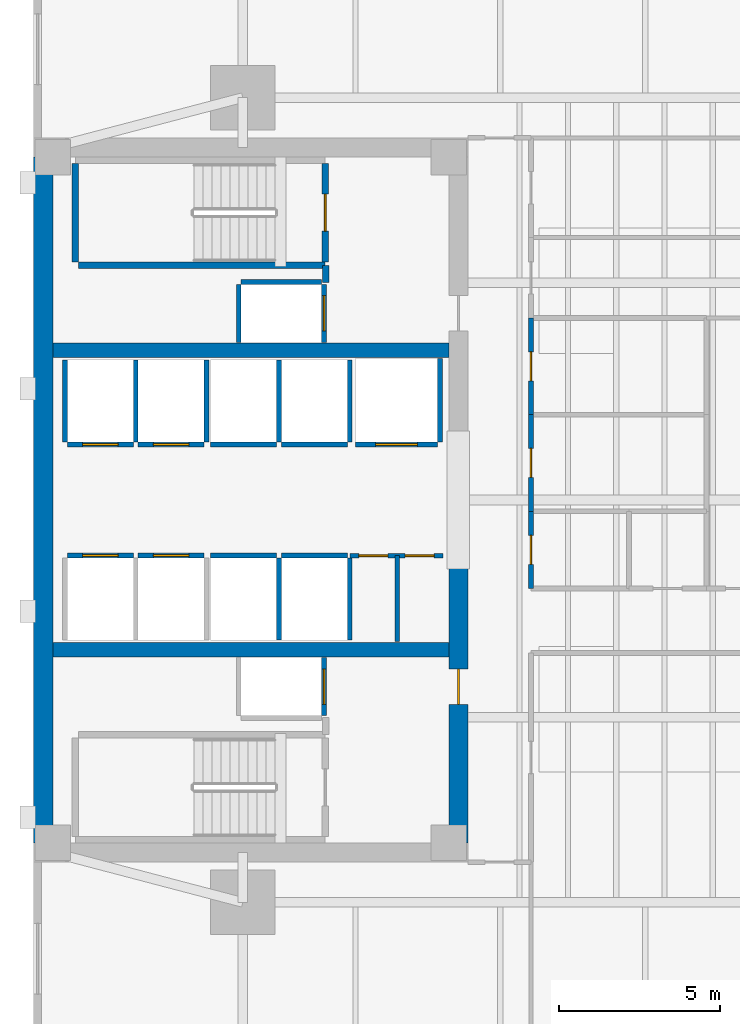
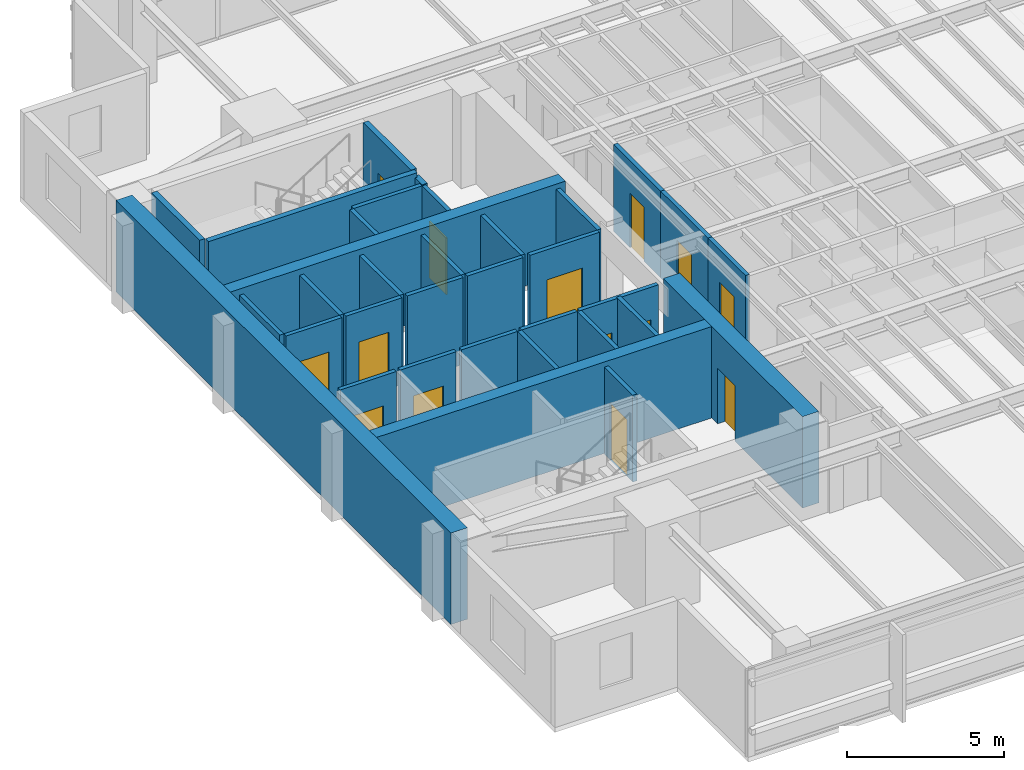
# One storey, part 8 of 15: 34 walls, 14 doors, 14 openings.
"""IFC4 building model written with IfcOpenShell, lengths in metres."""

from ifc_helpers import new_model, si_unit, direction, frame, frame_2d, origin, place, context, subcontext, project, spatial, rectangle, extrude, material, layer, layer_set, type_object, element, fill, save


model = new_model("IFC4")

# Units and contexts
model_context = context("Model", 3, precision=1e-05, world=origin(), true_north=direction((0.0, 1.0)))
body_context = subcontext(model_context, "Body", "Model", "MODEL_VIEW")
ifc_project = project(units=[si_unit("LENGTHUNIT", "METRE"), si_unit("AREAUNIT", "SQUARE_METRE"), si_unit("VOLUMEUNIT", "CUBIC_METRE"), si_unit("PLANEANGLEUNIT", "RADIAN"), si_unit("MASSUNIT", "GRAM", prefix="KILO")], contexts=[model_context])

# Site, building, storey
site_placement = place(None, origin())
site = spatial("IfcSite", under=ifc_project, at=site_placement, CompositionType="ELEMENT")
building_placement = place(site_placement, origin())
building = spatial("IfcBuilding", under=site, at=building_placement, Name="Kinhvarn Gate Tower", CompositionType="ELEMENT")
storey_placement = place(building_placement, frame((0.0, 0.0, 112.89990234375)))
storey = spatial("IfcBuildingStorey", under=building, at=storey_placement, Name="L29", CompositionType="ELEMENT", Elevation=112.89990234375)

# Walls
ifc_material_1 = material(Name="Concrete C50/60", Category="concrete")
ifc_layer_1 = layer(ifc_material_1, 0.449951171875)
ifc_layer_set_1 = layer_set([ifc_layer_1], Name="Concrete C50/60")
wall_type_1 = type_object("IfcWallType", Name="WL-CORE-450", PredefinedType="SHEAR", material=ifc_layer_set_1)
for number, where, z_axis, x_axis, name in (
    (1, (5.10009765625, 20.60009765625, 0.0), (0.0, 0.0, 1.0), (1.0, 0.0, 0.0), "Core South Spine Shear Wall L29 450 mm"),
    (2, (5.10009765625, 29.89990234375, 0.0), (0.0, 0.0, 1.0), (1.0, 0.0, 0.0), "Core North Spine Shear Wall L29 450 mm"),
):
    element("IfcWall", number, at=place(storey_placement, frame(where, z_axis=z_axis, x_axis=x_axis)), inside=storey, type_object=wall_type_1, Name=name, PredefinedType="SHEAR", context=body_context, shape_type="SweptSolid", body=[
        extrude(rectangle(XDim=12.2998046875, YDim=0.449951171875, at=frame_2d((6.14990234375, 0.0))), origin(), (0.0, 0.0, 1.0), 3.550048828125),
    ])

# Wall, opening, door
ifc_material_2 = material(Name="Concrete C60/75", Category="concrete")
ifc_layer_2 = layer(ifc_material_2, 0.60009765625)
ifc_layer_set_2 = layer_set([ifc_layer_2], Name="Concrete C60/75")
wall_type_2 = type_object("IfcWallType", Name="WL-CORE-600", PredefinedType="SHEAR", material=ifc_layer_set_2)
wall_1_placement = place(storey_placement, frame((17.699951171875, 14.60009765625, 0.0), z_axis=(0.0, 0.0, 1.0), x_axis=(0.0, 1.0, 0.0)))
wall_1 = element("IfcWall", 3, at=wall_1_placement, inside=storey, type_object=wall_type_2, Name="Core East-South Shear Pier L29 600 mm", PredefinedType="SHEAR", context=body_context, shape_type="SweptSolid", body=[
    extrude(rectangle(XDim=8.849853515625, YDim=0.60009765625, at=frame_2d((4.4248046875, 0.0))), origin(), (0.0, 0.0, 1.0), 3.550048828125),
])
opening_1_placement = place(wall_1_placement, frame((4.300048828125, 0.0, 0.0)))
opening_1 = element("IfcOpeningElement", 4, at=opening_1_placement, cuts=wall_1, Name="Opening FD-02", PredefinedType="OPENING", context=body_context, shape_type="SweptSolid", body=[
    extrude(rectangle(XDim=1.10009765625, YDim=2.14990234375, at=frame_2d((0.550048828125, 1.074951171875))), frame((0.0, 0.31005859375, 0.0), z_axis=(0.0, -1.0, 0.0), x_axis=(1.0, 0.0, 0.0)), (0.0, 0.0, 1.0), 0.6201171875),
])
ifc_material_3 = material(Name="Anodised aluminium AW-6063", Category="aluminium")
door_type_1 = type_object("IfcDoorType", Name="DR-FD-1100", OperationType="NOTDEFINED", PredefinedType="DOOR", material=ifc_material_3)
door_1_placement = place(opening_1_placement, origin())
door_1 = element("IfcDoor", 5, at=door_1_placement, inside=storey, type_object=door_type_1, Name="Firefighting Lobby Core Door (L29)", OperationType="SINGLE_SWING_RIGHT", OverallHeight=2.14990234375, OverallWidth=1.10009765625, PredefinedType="DOOR", context=body_context, shape_type="SweptSolid", body=[
    extrude(rectangle(XDim=1.10009765625, YDim=2.14990234375, at=frame_2d((0.550048828125, 1.074951171875))), frame((0.0, 0.02490234375, 0.0), z_axis=(0.0, -1.0, 0.0), x_axis=(1.0, 0.0, 0.0)), (0.0, 0.0, 1.0), 0.050048828125),
])
fill(opening_1, door_1)

# Wall
ifc_layer_3 = layer(ifc_material_2, 0.60009765625)
ifc_layer_set_3 = layer_set([ifc_layer_3], Name="Concrete C60/75")
wall_type_3 = type_object("IfcWallType", Name="WL-COREX-600", PredefinedType="SHEAR", material=ifc_layer_set_3)
wall_2_placement = place(storey_placement, frame((4.800048828125, 14.60009765625, 0.0), z_axis=(0.0, 0.0, 1.0), x_axis=(0.0, 1.0, 0.0)))
element("IfcWall", 6, at=wall_2_placement, inside=storey, type_object=wall_type_3, Name="Core West Shear Wall L29 600 mm", PredefinedType="SHEAR", context=body_context, shape_type="SweptSolid", body=[
    extrude(rectangle(XDim=21.2998046875, YDim=0.60009765625, at=frame_2d((10.64990234375, 0.0))), origin(), (0.0, 0.0, 1.0), 3.550048828125),
])

# Wall, opening, door
ifc_material_4 = material(Name="Gypsum acoustic partition board")
ifc_layer_4 = layer(ifc_material_4, 0.14990234375)
ifc_layer_set_4 = layer_set([ifc_layer_4], Name="Gypsum acoustic partition board")
wall_type_4 = type_object("IfcWallType", Name="WL-PLM-150F", PredefinedType="PLUMBINGWALL", material=ifc_layer_set_4)
wall_3_placement = place(storey_placement, frame((19.949951171875, 22.5, 0.0), z_axis=(0.0, 0.0, 1.0), x_axis=(0.0, 1.0, 0.0)))
wall_3 = element("IfcWall", 7, at=wall_3_placement, inside=storey, type_object=wall_type_4, Name="Interior Partition PLW-150F (L29)", PredefinedType="PLUMBINGWALL", context=body_context, shape_type="SweptSolid", body=[
    extrude(rectangle(XDim=2.39990234375, YDim=0.14990234375, at=frame_2d((1.199951171875, 0.0))), origin(), (0.0, 0.0, 1.0), 3.3701171875),
])
opening_2_placement = place(wall_3_placement, frame((0.75, 0.0, 0.0)))
opening_2 = element("IfcOpeningElement", 8, at=opening_2_placement, cuts=wall_3, Name="Opening FD-04", PredefinedType="OPENING", context=body_context, shape_type="SweptSolid", body=[
    extrude(rectangle(XDim=0.89990234375, YDim=2.10009765625, at=frame_2d((0.449951171875, 1.050048828125))), frame((0.0, 0.0849609375, 0.0), z_axis=(0.0, -1.0, 0.0), x_axis=(1.0, 0.0, 0.0)), (0.0, 0.0, 1.0), 0.169921875),
])
door_type_2 = type_object("IfcDoorType", Name="DR-FD-900", OperationType="NOTDEFINED", PredefinedType="DOOR", material=ifc_material_3)
door_2_placement = place(opening_2_placement, origin())
door_2 = element("IfcDoor", 9, at=door_2_placement, inside=storey, type_object=door_type_2, Name="Rated Riser & Service Closet Fire Door 900x2100 mm (L29)", OperationType="SINGLE_SWING_RIGHT", OverallHeight=2.10009765625, OverallWidth=0.89990234375, PredefinedType="DOOR", context=body_context, shape_type="SweptSolid", body=[
    extrude(rectangle(XDim=0.89990234375, YDim=2.10009765625, at=frame_2d((0.449951171875, 1.050048828125))), frame((0.0, 0.02490234375, 0.0), z_axis=(0.0, -1.0, 0.0), x_axis=(1.0, 0.0, 0.0)), (0.0, 0.0, 1.0), 0.050048828125),
])
fill(opening_2, door_2)

wall_4_placement = place(storey_placement, frame((19.949951171875, 24.89990234375, 0.0), z_axis=(0.0, 0.0, 1.0), x_axis=(0.0, 1.0, 0.0)))
wall_4 = element("IfcWall", 10, at=wall_4_placement, inside=storey, type_object=wall_type_4, Name="Interior Partition PLW-150F (L29)", PredefinedType="PLUMBINGWALL", context=body_context, shape_type="SweptSolid", body=[
    extrude(rectangle(XDim=3.0, YDim=0.14990234375, at=frame_2d((1.5, 0.0))), origin(), (0.0, 0.0, 1.0), 3.3701171875),
])
opening_3_placement = place(wall_4_placement, frame((1.050048828125, 0.0, 0.0)))
opening_3 = element("IfcOpeningElement", 11, at=opening_3_placement, cuts=wall_4, Name="Opening FD-04", PredefinedType="OPENING", context=body_context, shape_type="SweptSolid", body=[
    extrude(rectangle(XDim=0.89990234375, YDim=2.10009765625, at=frame_2d((0.449951171875, 1.050048828125))), frame((0.0, 0.0849609375, 0.0), z_axis=(0.0, -1.0, 0.0), x_axis=(1.0, 0.0, 0.0)), (0.0, 0.0, 1.0), 0.169921875),
])
door_3_placement = place(opening_3_placement, origin())
door_3 = element("IfcDoor", 12, at=door_3_placement, inside=storey, type_object=door_type_2, Name="Rated Riser & Service Closet Fire Door 900x2100 mm (L29)", OperationType="SINGLE_SWING_LEFT", OverallHeight=2.10009765625, OverallWidth=0.89990234375, PredefinedType="DOOR", context=body_context, shape_type="SweptSolid", body=[
    extrude(rectangle(XDim=0.89990234375, YDim=2.10009765625, at=frame_2d((0.449951171875, 1.050048828125))), frame((0.0, 0.02490234375, 0.0), z_axis=(0.0, -1.0, 0.0), x_axis=(1.0, 0.0, 0.0)), (0.0, 0.0, 1.0), 0.050048828125),
])
fill(opening_3, door_3)

wall_5_placement = place(storey_placement, frame((19.949951171875, 27.89990234375, 0.0), z_axis=(0.0, 0.0, 1.0), x_axis=(0.0, 1.0, 0.0)))
wall_5 = element("IfcWall", 13, at=wall_5_placement, inside=storey, type_object=wall_type_4, Name="Interior Partition PLW-150F (L29)", PredefinedType="PLUMBINGWALL", context=body_context, shape_type="SweptSolid", body=[
    extrude(rectangle(XDim=3.0, YDim=0.14990234375, at=frame_2d((1.5, 0.0))), origin(), (0.0, 0.0, 1.0), 3.3701171875),
])
opening_4_placement = place(wall_5_placement, frame((1.050048828125, 0.0, 0.0)))
opening_4 = element("IfcOpeningElement", 14, at=opening_4_placement, cuts=wall_5, Name="Opening FD-04", PredefinedType="OPENING", context=body_context, shape_type="SweptSolid", body=[
    extrude(rectangle(XDim=0.89990234375, YDim=2.10009765625, at=frame_2d((0.449951171875, 1.050048828125))), frame((0.0, 0.0849609375, 0.0), z_axis=(0.0, -1.0, 0.0), x_axis=(1.0, 0.0, 0.0)), (0.0, 0.0, 1.0), 0.169921875),
])
door_4_placement = place(opening_4_placement, origin())
door_4 = element("IfcDoor", 15, at=door_4_placement, inside=storey, type_object=door_type_2, Name="Rated Riser & Service Closet Fire Door 900x2100 mm (L29)", OperationType="SINGLE_SWING_RIGHT", OverallHeight=2.10009765625, OverallWidth=0.89990234375, PredefinedType="DOOR", context=body_context, shape_type="SweptSolid", body=[
    extrude(rectangle(XDim=0.89990234375, YDim=2.10009765625, at=frame_2d((0.449951171875, 1.050048828125))), frame((0.0, 0.02490234375, 0.0), z_axis=(0.0, -1.0, 0.0), x_axis=(1.0, 0.0, 0.0)), (0.0, 0.0, 1.0), 0.050048828125),
])
fill(opening_4, door_4)

# Wall
ifc_layer_5 = layer(ifc_material_4, 0.14990234375)
ifc_layer_set_5 = layer_set([ifc_layer_5], Name="Gypsum acoustic partition board")
wall_type_5 = type_object("IfcWallType", Name="WL-PRT-150F", PredefinedType="PARTITIONING", material=ifc_layer_set_5)
wall_6_placement = place(storey_placement, frame((15.800048828125, 20.85009765625, 0.0), z_axis=(0.0, 0.0, 1.0), x_axis=(0.0, 1.0, 0.0)))
element("IfcWall", 16, at=wall_6_placement, inside=storey, type_object=wall_type_5, Name="Interior Partition PW-150F (L29)", PredefinedType="PARTITIONING", context=body_context, shape_type="SweptSolid", body=[
    extrude(rectangle(XDim=2.669921875, YDim=0.14990234375, at=frame_2d((1.3349609375, 0.0))), origin(), (0.0, 0.0, 1.0), 3.3701171875),
])

# Wall, openings, doors
wall_7_placement = place(storey_placement, frame((14.330078125, 23.52001953125, 0.0), z_axis=(0.0, 0.0, 1.0), x_axis=(1.0, 0.0, 0.0)))
wall_7 = element("IfcWall", 17, at=wall_7_placement, inside=storey, type_object=wall_type_5, Name="Interior Partition PW-150F (L29)", PredefinedType="PARTITIONING", context=body_context, shape_type="SweptSolid", body=[
    extrude(rectangle(XDim=2.889892578125, YDim=0.14990234375, at=frame_2d((1.44482421875, 0.0))), origin(), (0.0, 0.0, 1.0), 3.3701171875),
])
opening_5_placement = place(wall_7_placement, frame((0.280029296875, 0.0, 0.0)))
opening_5 = element("IfcOpeningElement", 18, at=opening_5_placement, cuts=wall_7, Name="Opening FD-04", PredefinedType="OPENING", context=body_context, shape_type="SweptSolid", body=[
    extrude(rectangle(XDim=0.89990234375, YDim=2.10009765625, at=frame_2d((0.449951171875, 1.050048828125))), frame((0.0, 0.0849609375, 0.0), z_axis=(0.0, -1.0, 0.0), x_axis=(1.0, 0.0, 0.0)), (0.0, 0.0, 1.0), 0.169921875),
])
opening_6_placement = place(wall_7_placement, frame((1.7099609375, 0.0, 0.0)))
opening_6 = element("IfcOpeningElement", 19, at=opening_6_placement, cuts=wall_7, Name="Opening FD-04", PredefinedType="OPENING", context=body_context, shape_type="SweptSolid", body=[
    extrude(rectangle(XDim=0.89990234375, YDim=2.10009765625, at=frame_2d((0.449951171875, 1.050048828125))), frame((0.0, 0.0849609375, 0.0), z_axis=(0.0, -1.0, 0.0), x_axis=(1.0, 0.0, 0.0)), (0.0, 0.0, 1.0), 0.169921875),
])
door_5_placement = place(opening_5_placement, origin())
door_5 = element("IfcDoor", 20, at=door_5_placement, inside=storey, type_object=door_type_2, Name="Rated Riser & Service Closet Fire Door 900x2100 mm (L29)", OperationType="SINGLE_SWING_RIGHT", OverallHeight=2.10009765625, OverallWidth=0.89990234375, PredefinedType="DOOR", context=body_context, shape_type="SweptSolid", body=[
    extrude(rectangle(XDim=0.89990234375, YDim=2.10009765625, at=frame_2d((0.449951171875, 1.050048828125))), frame((0.0, 0.02490234375, 0.0), z_axis=(0.0, -1.0, 0.0), x_axis=(1.0, 0.0, 0.0)), (0.0, 0.0, 1.0), 0.050048828125),
])
fill(opening_5, door_5)
door_6_placement = place(opening_6_placement, origin())
door_6 = element("IfcDoor", 21, at=door_6_placement, inside=storey, type_object=door_type_2, Name="Rated Riser & Service Closet Fire Door 900x2100 mm (L29)", OperationType="SINGLE_SWING_LEFT", OverallHeight=2.10009765625, OverallWidth=0.89990234375, PredefinedType="DOOR", context=body_context, shape_type="SweptSolid", body=[
    extrude(rectangle(XDim=0.89990234375, YDim=2.10009765625, at=frame_2d((0.449951171875, 1.050048828125))), frame((0.0, 0.02490234375, 0.0), z_axis=(0.0, -1.0, 0.0), x_axis=(1.0, 0.0, 0.0)), (0.0, 0.0, 1.0), 0.050048828125),
])
fill(opening_6, door_6)

# Wall
ifc_layer_6 = layer(ifc_material_4, 0.199951171875)
ifc_layer_set_6 = layer_set([ifc_layer_6], Name="Gypsum acoustic partition board")
wall_type_6 = type_object("IfcWallType", Name="WL-PRT-200", PredefinedType="PARTITIONING", material=ifc_layer_set_6)
wall_8_placement = place(storey_placement, frame((13.580078125, 32.0, 0.0), z_axis=(0.0, 0.0, 1.0), x_axis=(0.0, 1.0, 0.0)))
element("IfcWall", 22, at=wall_8_placement, inside=storey, type_object=wall_type_6, Name="Interior Partition PW-200 (L29)", PredefinedType="PARTITIONING", context=body_context, shape_type="SweptSolid", body=[
    extrude(rectangle(XDim=0.5400390625, YDim=0.199951171875, at=frame_2d((0.27001953125, 0.0))), origin(), (0.0, 0.0, 1.0), 3.3701171875),
])

# Wall, opening, door
ifc_layer_7 = layer(ifc_material_4, 0.14990234375)
ifc_layer_set_7 = layer_set([ifc_layer_7], Name="Gypsum acoustic partition board")
wall_type_7 = type_object("IfcWallType", Name="WL-SHF-150", PredefinedType="PARTITIONING", material=ifc_layer_set_7)
wall_9_placement = place(storey_placement, frame((5.550048828125, 23.52490234375, 0.0), z_axis=(0.0, 0.0, 1.0), x_axis=(1.0, 0.0, 0.0)))
wall_9 = element("IfcWall", 23, at=wall_9_placement, inside=storey, type_object=wall_type_7, Name="Elevator PM-05 Landing Wall (L29)", PredefinedType="PARTITIONING", context=body_context, shape_type="SweptSolid", body=[
    extrude(rectangle(XDim=2.050048828125, YDim=0.14990234375, at=frame_2d((1.02490234375, 0.0))), origin(), (0.0, 0.0, 1.0), 3.3701171875),
])
opening_7_placement = place(wall_9_placement, frame((0.47509765625, 0.0, 0.0)))
opening_7 = element("IfcOpeningElement", 24, at=opening_7_placement, cuts=wall_9, Name="Opening LD-01", PredefinedType="OPENING", context=body_context, shape_type="SweptSolid", body=[
    extrude(rectangle(XDim=1.10009765625, YDim=2.199951171875, at=frame_2d((0.550048828125, 1.10009765625))), frame((0.0, 0.0849609375, 0.0), z_axis=(0.0, -1.0, 0.0), x_axis=(1.0, 0.0, 0.0)), (0.0, 0.0, 1.0), 0.169921875),
])
door_type_3 = type_object("IfcDoorType", Name="DR-LND-PAS", OperationType="NOTDEFINED", PredefinedType="DOOR", material=ifc_material_3)
door_7_placement = place(opening_7_placement, origin())
door_7 = element("IfcDoor", 25, at=door_7_placement, inside=storey, type_object=door_type_3, Name="Elevator PM-05 Sliding Landing Door (L29)", OperationType="DOUBLE_DOOR_SLIDING", OverallHeight=2.199951171875, OverallWidth=1.10009765625, PredefinedType="DOOR", context=body_context, shape_type="SweptSolid", body=[
    extrude(rectangle(XDim=1.10009765625, YDim=2.199951171875, at=frame_2d((0.550048828125, 1.10009765625))), frame((0.0, 0.02490234375, 0.0), z_axis=(0.0, -1.0, 0.0), x_axis=(1.0, 0.0, 0.0)), (0.0, 0.0, 1.0), 0.050048828125),
])
fill(opening_7, door_7)

wall_10_placement = place(storey_placement, frame((7.75, 23.52490234375, 0.0), z_axis=(0.0, 0.0, 1.0), x_axis=(1.0, 0.0, 0.0)))
wall_10 = element("IfcWall", 26, at=wall_10_placement, inside=storey, type_object=wall_type_7, Name="Elevator PM-06 Landing Wall (L29)", PredefinedType="PARTITIONING", context=body_context, shape_type="SweptSolid", body=[
    extrude(rectangle(XDim=2.050048828125, YDim=0.14990234375, at=frame_2d((1.02490234375, 0.0))), origin(), (0.0, 0.0, 1.0), 3.3701171875),
])
opening_8_placement = place(wall_10_placement, frame((0.47509765625, 0.0, 0.0)))
opening_8 = element("IfcOpeningElement", 27, at=opening_8_placement, cuts=wall_10, Name="Opening LD-01", PredefinedType="OPENING", context=body_context, shape_type="SweptSolid", body=[
    extrude(rectangle(XDim=1.10009765625, YDim=2.199951171875, at=frame_2d((0.550048828125, 1.10009765625))), frame((0.0, 0.0849609375, 0.0), z_axis=(0.0, -1.0, 0.0), x_axis=(1.0, 0.0, 0.0)), (0.0, 0.0, 1.0), 0.169921875),
])
door_8_placement = place(opening_8_placement, origin())
door_8 = element("IfcDoor", 28, at=door_8_placement, inside=storey, type_object=door_type_3, Name="Elevator PM-06 Sliding Landing Door (L29)", OperationType="DOUBLE_DOOR_SLIDING", OverallHeight=2.199951171875, OverallWidth=1.10009765625, PredefinedType="DOOR", context=body_context, shape_type="SweptSolid", body=[
    extrude(rectangle(XDim=1.10009765625, YDim=2.199951171875, at=frame_2d((0.550048828125, 1.10009765625))), frame((0.0, 0.02490234375, 0.0), z_axis=(0.0, -1.0, 0.0), x_axis=(1.0, 0.0, 0.0)), (0.0, 0.0, 1.0), 0.050048828125),
])
fill(opening_8, door_8)

wall_11_placement = place(storey_placement, frame((5.550048828125, 26.97509765625, 0.0), z_axis=(0.0, 0.0, 1.0), x_axis=(1.0, 0.0, 0.0)))
wall_11 = element("IfcWall", 29, at=wall_11_placement, inside=storey, type_object=wall_type_7, Name="Elevator PM-07 Landing Wall (L29)", PredefinedType="PARTITIONING", context=body_context, shape_type="SweptSolid", body=[
    extrude(rectangle(XDim=2.050048828125, YDim=0.14990234375, at=frame_2d((1.02490234375, 0.0))), origin(), (0.0, 0.0, 1.0), 3.3701171875),
])
opening_9_placement = place(wall_11_placement, frame((0.47509765625, 0.0, 0.0)))
opening_9 = element("IfcOpeningElement", 30, at=opening_9_placement, cuts=wall_11, Name="Opening LD-01", PredefinedType="OPENING", context=body_context, shape_type="SweptSolid", body=[
    extrude(rectangle(XDim=1.10009765625, YDim=2.199951171875, at=frame_2d((0.550048828125, 1.10009765625))), frame((0.0, 0.0849609375, 0.0), z_axis=(0.0, -1.0, 0.0), x_axis=(1.0, 0.0, 0.0)), (0.0, 0.0, 1.0), 0.169921875),
])
door_9_placement = place(opening_9_placement, origin())
door_9 = element("IfcDoor", 31, at=door_9_placement, inside=storey, type_object=door_type_3, Name="Elevator PM-07 Sliding Landing Door (L29)", OperationType="DOUBLE_DOOR_SLIDING", OverallHeight=2.199951171875, OverallWidth=1.10009765625, PredefinedType="DOOR", context=body_context, shape_type="SweptSolid", body=[
    extrude(rectangle(XDim=1.10009765625, YDim=2.199951171875, at=frame_2d((0.550048828125, 1.10009765625))), frame((0.0, 0.02490234375, 0.0), z_axis=(0.0, -1.0, 0.0), x_axis=(1.0, 0.0, 0.0)), (0.0, 0.0, 1.0), 0.050048828125),
])
fill(opening_9, door_9)

# Walls
for number, where, z_axis, x_axis, name in (
    (32, (5.47509765625, 27.050048828125, 0.0), (0.0, 0.0, 1.0), (0.0, 1.0, 0.0), "Elevator PM-07 Hoistway Wall W (L29)"),
    (33, (7.675048828125, 27.050048828125, 0.0), (0.0, 0.0, 1.0), (0.0, 1.0, 0.0), "Elevator PM-07 Hoistway Wall E (L29)"),
):
    element("IfcWall", number, at=place(storey_placement, frame(where, z_axis=z_axis, x_axis=x_axis)), inside=storey, type_object=wall_type_7, Name=name, PredefinedType="PARTITIONING", context=body_context, shape_type="SweptSolid", body=[
        extrude(rectangle(XDim=2.550048828125, YDim=0.14990234375, at=frame_2d((1.27490234375, 0.0))), origin(), (0.0, 0.0, 1.0), 3.3701171875),
    ])

# Wall, opening, door
wall_12_placement = place(storey_placement, frame((7.75, 26.97509765625, 0.0), z_axis=(0.0, 0.0, 1.0), x_axis=(1.0, 0.0, 0.0)))
wall_12 = element("IfcWall", 34, at=wall_12_placement, inside=storey, type_object=wall_type_7, Name="Elevator PM-08 Landing Wall (L29)", PredefinedType="PARTITIONING", context=body_context, shape_type="SweptSolid", body=[
    extrude(rectangle(XDim=2.050048828125, YDim=0.14990234375, at=frame_2d((1.02490234375, 0.0))), origin(), (0.0, 0.0, 1.0), 3.3701171875),
])
opening_10_placement = place(wall_12_placement, frame((0.47509765625, 0.0, 0.0)))
opening_10 = element("IfcOpeningElement", 35, at=opening_10_placement, cuts=wall_12, Name="Opening LD-01", PredefinedType="OPENING", context=body_context, shape_type="SweptSolid", body=[
    extrude(rectangle(XDim=1.10009765625, YDim=2.199951171875, at=frame_2d((0.550048828125, 1.10009765625))), frame((0.0, 0.0849609375, 0.0), z_axis=(0.0, -1.0, 0.0), x_axis=(1.0, 0.0, 0.0)), (0.0, 0.0, 1.0), 0.169921875),
])
door_10_placement = place(opening_10_placement, origin())
door_10 = element("IfcDoor", 36, at=door_10_placement, inside=storey, type_object=door_type_3, Name="Elevator PM-08 Sliding Landing Door (L29)", OperationType="DOUBLE_DOOR_SLIDING", OverallHeight=2.199951171875, OverallWidth=1.10009765625, PredefinedType="DOOR", context=body_context, shape_type="SweptSolid", body=[
    extrude(rectangle(XDim=1.10009765625, YDim=2.199951171875, at=frame_2d((0.550048828125, 1.10009765625))), frame((0.0, 0.02490234375, 0.0), z_axis=(0.0, -1.0, 0.0), x_axis=(1.0, 0.0, 0.0)), (0.0, 0.0, 1.0), 0.050048828125),
])
fill(opening_10, door_10)

# Walls
wall_13_placement = place(storey_placement, frame((9.875, 27.050048828125, 0.0), z_axis=(0.0, 0.0, 1.0), x_axis=(0.0, 1.0, 0.0)))
element("IfcWall", 37, at=wall_13_placement, inside=storey, type_object=wall_type_7, Name="Elevator PM-08 Hoistway Wall E (L29)", PredefinedType="PARTITIONING", context=body_context, shape_type="SweptSolid", body=[
    extrude(rectangle(XDim=2.550048828125, YDim=0.14990234375, at=frame_2d((1.27490234375, 0.0))), origin(), (0.0, 0.0, 1.0), 3.3701171875),
])
wall_14_placement = place(storey_placement, frame((10.0, 23.52490234375, 0.0), z_axis=(0.0, 0.0, 1.0), x_axis=(1.0, 0.0, 0.0)))
element("IfcWall", 38, at=wall_14_placement, inside=storey, type_object=wall_type_7, Name="Elevator PH-09 Landing Wall (L29)", PredefinedType="PARTITIONING", context=body_context, shape_type="SweptSolid", body=[
    extrude(rectangle(XDim=2.050048828125, YDim=0.14990234375, at=frame_2d((1.02490234375, 0.0))), origin(), (0.0, 0.0, 1.0), 3.3701171875),
])
wall_15_placement = place(storey_placement, frame((12.125, 20.89990234375, 0.0), z_axis=(0.0, 0.0, 1.0), x_axis=(0.0, 1.0, 0.0)))
element("IfcWall", 39, at=wall_15_placement, inside=storey, type_object=wall_type_7, Name="Elevator PH-09 Hoistway Wall E (L29)", PredefinedType="PARTITIONING", context=body_context, shape_type="SweptSolid", body=[
    extrude(rectangle(XDim=2.550048828125, YDim=0.14990234375, at=frame_2d((1.27490234375, 0.0))), origin(), (0.0, 0.0, 1.0), 3.3701171875),
])
wall_16_placement = place(storey_placement, frame((12.199951171875, 23.52490234375, 0.0), z_axis=(0.0, 0.0, 1.0), x_axis=(1.0, 0.0, 0.0)))
element("IfcWall", 40, at=wall_16_placement, inside=storey, type_object=wall_type_7, Name="Elevator PH-10 Landing Wall (L29)", PredefinedType="PARTITIONING", context=body_context, shape_type="SweptSolid", body=[
    extrude(rectangle(XDim=2.050048828125, YDim=0.14990234375, at=frame_2d((1.02490234375, 0.0))), origin(), (0.0, 0.0, 1.0), 3.3701171875),
])
wall_17_placement = place(storey_placement, frame((14.324951171875, 20.89990234375, 0.0), z_axis=(0.0, 0.0, 1.0), x_axis=(0.0, 1.0, 0.0)))
element("IfcWall", 41, at=wall_17_placement, inside=storey, type_object=wall_type_7, Name="Elevator PH-10 Hoistway Wall E (L29)", PredefinedType="PARTITIONING", context=body_context, shape_type="SweptSolid", body=[
    extrude(rectangle(XDim=2.550048828125, YDim=0.14990234375, at=frame_2d((1.27490234375, 0.0))), origin(), (0.0, 0.0, 1.0), 3.3701171875),
])
wall_18_placement = place(storey_placement, frame((10.0, 26.97509765625, 0.0), z_axis=(0.0, 0.0, 1.0), x_axis=(1.0, 0.0, 0.0)))
element("IfcWall", 42, at=wall_18_placement, inside=storey, type_object=wall_type_7, Name="Elevator PH-11 Landing Wall (L29)", PredefinedType="PARTITIONING", context=body_context, shape_type="SweptSolid", body=[
    extrude(rectangle(XDim=2.050048828125, YDim=0.14990234375, at=frame_2d((1.02490234375, 0.0))), origin(), (0.0, 0.0, 1.0), 3.3701171875),
])
wall_19_placement = place(storey_placement, frame((12.125, 27.050048828125, 0.0), z_axis=(0.0, 0.0, 1.0), x_axis=(0.0, 1.0, 0.0)))
element("IfcWall", 43, at=wall_19_placement, inside=storey, type_object=wall_type_7, Name="Elevator PH-11 Hoistway Wall E (L29)", PredefinedType="PARTITIONING", context=body_context, shape_type="SweptSolid", body=[
    extrude(rectangle(XDim=2.550048828125, YDim=0.14990234375, at=frame_2d((1.27490234375, 0.0))), origin(), (0.0, 0.0, 1.0), 3.3701171875),
])
wall_20_placement = place(storey_placement, frame((12.199951171875, 26.97509765625, 0.0), z_axis=(0.0, 0.0, 1.0), x_axis=(1.0, 0.0, 0.0)))
element("IfcWall", 44, at=wall_20_placement, inside=storey, type_object=wall_type_7, Name="Elevator PH-12 Landing Wall (L29)", PredefinedType="PARTITIONING", context=body_context, shape_type="SweptSolid", body=[
    extrude(rectangle(XDim=2.050048828125, YDim=0.14990234375, at=frame_2d((1.02490234375, 0.0))), origin(), (0.0, 0.0, 1.0), 3.3701171875),
])
wall_21_placement = place(storey_placement, frame((14.324951171875, 27.050048828125, 0.0), z_axis=(0.0, 0.0, 1.0), x_axis=(0.0, 1.0, 0.0)))
element("IfcWall", 45, at=wall_21_placement, inside=storey, type_object=wall_type_7, Name="Elevator PH-12 Hoistway Wall E (L29)", PredefinedType="PARTITIONING", context=body_context, shape_type="SweptSolid", body=[
    extrude(rectangle(XDim=2.550048828125, YDim=0.14990234375, at=frame_2d((1.27490234375, 0.0))), origin(), (0.0, 0.0, 1.0), 3.3701171875),
])

# Wall, opening, door
wall_22_placement = place(storey_placement, frame((14.5, 26.97509765625, 0.0), z_axis=(0.0, 0.0, 1.0), x_axis=(1.0, 0.0, 0.0)))
wall_22 = element("IfcWall", 46, at=wall_22_placement, inside=storey, type_object=wall_type_7, Name="Elevator SV-01 Landing Wall (L29)", PredefinedType="PARTITIONING", context=body_context, shape_type="SweptSolid", body=[
    extrude(rectangle(XDim=2.550048828125, YDim=0.14990234375, at=frame_2d((1.27490234375, 0.0))), origin(), (0.0, 0.0, 1.0), 3.3701171875),
])
opening_11_placement = place(wall_22_placement, frame((0.625, 0.0, 0.0)))
opening_11 = element("IfcOpeningElement", 47, at=opening_11_placement, cuts=wall_22, Name="Opening LD-02", PredefinedType="OPENING", context=body_context, shape_type="SweptSolid", body=[
    extrude(rectangle(XDim=1.300048828125, YDim=2.199951171875, at=frame_2d((0.64990234375, 1.10009765625))), frame((0.0, 0.0849609375, 0.0), z_axis=(0.0, -1.0, 0.0), x_axis=(1.0, 0.0, 0.0)), (0.0, 0.0, 1.0), 0.169921875),
])
door_type_4 = type_object("IfcDoorType", Name="DR-LND-SRV", OperationType="NOTDEFINED", PredefinedType="DOOR", material=ifc_material_3)
door_11_placement = place(opening_11_placement, origin())
door_11 = element("IfcDoor", 48, at=door_11_placement, inside=storey, type_object=door_type_4, Name="Elevator SV-01 Sliding Landing Door (L29)", OperationType="DOUBLE_DOOR_SLIDING", OverallHeight=2.199951171875, OverallWidth=1.300048828125, PredefinedType="DOOR", context=body_context, shape_type="SweptSolid", body=[
    extrude(rectangle(XDim=1.300048828125, YDim=2.199951171875, at=frame_2d((0.64990234375, 1.10009765625))), frame((0.0, 0.02490234375, 0.0), z_axis=(0.0, -1.0, 0.0), x_axis=(1.0, 0.0, 0.0)), (0.0, 0.0, 1.0), 0.050048828125),
])
fill(opening_11, door_11)

# Wall
wall_23_placement = place(storey_placement, frame((17.125, 27.050048828125, 0.0), z_axis=(0.0, 0.0, 1.0), x_axis=(0.0, 1.0, 0.0)))
element("IfcWall", 49, at=wall_23_placement, inside=storey, type_object=wall_type_7, Name="Elevator SV-01 Hoistway Wall E (L29)", PredefinedType="PARTITIONING", context=body_context, shape_type="SweptSolid", body=[
    extrude(rectangle(XDim=2.599853515625, YDim=0.14990234375, at=frame_2d((1.2998046875, 0.0))), origin(), (0.0, 0.0, 1.0), 3.3701171875),
])

# Wall, opening, door
wall_24_placement = place(storey_placement, frame((13.52490234375, 18.550048828125, 0.0), z_axis=(0.0, 0.0, 1.0), x_axis=(0.0, 1.0, 0.0)))
wall_24 = element("IfcWall", 50, at=wall_24_placement, inside=storey, type_object=wall_type_7, Name="Elevator FF1 Landing Wall (L29)", PredefinedType="PARTITIONING", context=body_context, shape_type="SweptSolid", body=[
    extrude(rectangle(XDim=1.800048828125, YDim=0.14990234375, at=frame_2d((0.89990234375, 0.0))), origin(), (0.0, 0.0, 1.0), 3.3701171875),
])
opening_12_placement = place(wall_24_placement, frame((0.35009765625, 0.0, 0.0)))
opening_12 = element("IfcOpeningElement", 51, at=opening_12_placement, cuts=wall_24, Name="Opening LD-03", PredefinedType="OPENING", context=body_context, shape_type="SweptSolid", body=[
    extrude(rectangle(XDim=1.10009765625, YDim=2.199951171875, at=frame_2d((0.550048828125, 1.10009765625))), frame((0.0, 0.0849609375, 0.0), z_axis=(0.0, -1.0, 0.0), x_axis=(1.0, 0.0, 0.0)), (0.0, 0.0, 1.0), 0.169921875),
])
door_type_5 = type_object("IfcDoorType", Name="DR-LND-FF", OperationType="NOTDEFINED", PredefinedType="DOOR", material=ifc_material_3)
door_12_placement = place(opening_12_placement, origin())
door_12 = element("IfcDoor", 52, at=door_12_placement, inside=storey, type_object=door_type_5, Name="Elevator FF1 Sliding Landing Door (L29)", OperationType="DOUBLE_DOOR_SLIDING", OverallHeight=2.199951171875, OverallWidth=1.10009765625, PredefinedType="DOOR", context=body_context, shape_type="SweptSolid", body=[
    extrude(rectangle(XDim=1.10009765625, YDim=2.199951171875, at=frame_2d((0.550048828125, 1.10009765625))), frame((0.0, 0.02490234375, 0.0), z_axis=(0.0, -1.0, 0.0), x_axis=(1.0, 0.0, 0.0)), (0.0, 0.0, 1.0), 0.050048828125),
])
fill(opening_12, door_12)

# Walls
wall_25_placement = place(storey_placement, frame((10.949951171875, 32.02490234375, 0.0), z_axis=(0.0, 0.0, 1.0), x_axis=(1.0, 0.0, 0.0)))
element("IfcWall", 53, at=wall_25_placement, inside=storey, type_object=wall_type_7, Name="Elevator FF2 Hoistway Wall N (L29)", PredefinedType="PARTITIONING", context=body_context, shape_type="SweptSolid", body=[
    extrude(rectangle(XDim=2.5, YDim=0.14990234375, at=frame_2d((1.25, 0.0))), origin(), (0.0, 0.0, 1.0), 3.3701171875),
])
wall_26_placement = place(storey_placement, frame((10.875, 30.14990234375, 0.0), z_axis=(0.0, 0.0, 1.0), x_axis=(0.0, 1.0, 0.0)))
element("IfcWall", 54, at=wall_26_placement, inside=storey, type_object=wall_type_7, Name="Elevator FF2 Hoistway Wall W (L29)", PredefinedType="PARTITIONING", context=body_context, shape_type="SweptSolid", body=[
    extrude(rectangle(XDim=1.800048828125, YDim=0.14990234375, at=frame_2d((0.89990234375, 0.0))), origin(), (0.0, 0.0, 1.0), 3.3701171875),
])

# Wall, opening, door
wall_27_placement = place(storey_placement, frame((13.52490234375, 30.14990234375, 0.0), z_axis=(0.0, 0.0, 1.0), x_axis=(0.0, 1.0, 0.0)))
wall_27 = element("IfcWall", 55, at=wall_27_placement, inside=storey, type_object=wall_type_7, Name="Elevator FF2 Landing Wall (L29)", PredefinedType="PARTITIONING", context=body_context, shape_type="SweptSolid", body=[
    extrude(rectangle(XDim=1.800048828125, YDim=0.14990234375, at=frame_2d((0.89990234375, 0.0))), origin(), (0.0, 0.0, 1.0), 3.3701171875),
])
opening_13_placement = place(wall_27_placement, frame((0.35009765625, 0.0, 0.0)))
opening_13 = element("IfcOpeningElement", 56, at=opening_13_placement, cuts=wall_27, Name="Opening LD-03", PredefinedType="OPENING", context=body_context, shape_type="SweptSolid", body=[
    extrude(rectangle(XDim=1.10009765625, YDim=2.199951171875, at=frame_2d((0.550048828125, 1.10009765625))), frame((0.0, 0.0849609375, 0.0), z_axis=(0.0, -1.0, 0.0), x_axis=(1.0, 0.0, 0.0)), (0.0, 0.0, 1.0), 0.169921875),
])
door_13_placement = place(opening_13_placement, origin())
door_13 = element("IfcDoor", 57, at=door_13_placement, inside=storey, type_object=door_type_5, Name="Elevator FF2 Sliding Landing Door (L29)", OperationType="DOUBLE_DOOR_SLIDING", OverallHeight=2.199951171875, OverallWidth=1.10009765625, PredefinedType="DOOR", context=body_context, shape_type="SweptSolid", body=[
    extrude(rectangle(XDim=1.10009765625, YDim=2.199951171875, at=frame_2d((0.550048828125, 1.10009765625))), frame((0.0, 0.02490234375, 0.0), z_axis=(0.0, -1.0, 0.0), x_axis=(1.0, 0.0, 0.0)), (0.0, 0.0, 1.0), 0.050048828125),
])
fill(opening_13, door_13)

# Walls
ifc_material_5 = material(Name="Concrete C40/50", Category="concrete")
ifc_layer_8 = layer(ifc_material_5, 0.199951171875)
ifc_layer_set_8 = layer_set([ifc_layer_8], Name="Concrete C40/50")
wall_type_8 = type_object("IfcWallType", Name="WL-SHF-200", PredefinedType="SOLIDWALL", material=ifc_layer_set_8)
wall_28_placement = place(storey_placement, frame((5.7900390625, 32.64990234375, 0.0), z_axis=(0.0, 0.0, 1.0), x_axis=(0.0, 1.0, 0.0)))
element("IfcWall", 58, at=wall_28_placement, inside=storey, type_object=wall_type_8, Name="Stair ST2 West Shaft Wall (L29)", PredefinedType="SOLIDWALL", context=body_context, shape_type="SweptSolid", body=[
    extrude(rectangle(XDim=3.050048828125, YDim=0.199951171875, at=frame_2d((1.52490234375, 0.0))), origin(), (0.0, 0.0, 1.0), 3.550048828125),
])
wall_29_placement = place(storey_placement, frame((5.89990234375, 32.5400390625, 0.0), z_axis=(0.0, 0.0, 1.0), x_axis=(1.0, 0.0, 0.0)))
element("IfcWall", 59, at=wall_29_placement, inside=storey, type_object=wall_type_8, Name="Stair ST2 South Shaft Wall (L29)", PredefinedType="SOLIDWALL", context=body_context, shape_type="SweptSolid", body=[
    extrude(rectangle(XDim=7.66015625, YDim=0.199951171875, at=frame_2d((3.830078125, 0.0))), origin(), (0.0, 0.0, 1.0), 3.550048828125),
])

# Wall, opening, door
wall_30_placement = place(storey_placement, frame((13.56005859375, 32.64990234375, 0.0), z_axis=(0.0, 0.0, 1.0), x_axis=(0.0, 1.0, 0.0)))
wall_30 = element("IfcWall", 60, at=wall_30_placement, inside=storey, type_object=wall_type_8, Name="Stair ST2 East Entry Wall (L29)", PredefinedType="SOLIDWALL", context=body_context, shape_type="SweptSolid", body=[
    extrude(rectangle(XDim=3.050048828125, YDim=0.199951171875, at=frame_2d((1.52490234375, 0.0))), origin(), (0.0, 0.0, 1.0), 3.550048828125),
])
opening_14_placement = place(wall_30_placement, frame((0.949951171875, 0.0, 0.0)))
opening_14 = element("IfcOpeningElement", 61, at=opening_14_placement, cuts=wall_30, Name="Opening FD-01", PredefinedType="OPENING", context=body_context, shape_type="SweptSolid", body=[
    extrude(rectangle(XDim=1.14990234375, YDim=2.14990234375, at=frame_2d((0.574951171875, 1.074951171875))), frame((0.0, 0.10986328125, 0.0), z_axis=(0.0, -1.0, 0.0), x_axis=(1.0, 0.0, 0.0)), (0.0, 0.0, 1.0), 0.219970703125),
])
door_type_6 = type_object("IfcDoorType", Name="DR-ST-1150", OperationType="NOTDEFINED", PredefinedType="DOOR", material=ifc_material_3)
door_14_placement = place(opening_14_placement, origin())
door_14 = element("IfcDoor", 62, at=door_14_placement, inside=storey, type_object=door_type_6, Name="Exit Stair ST2 Fire Door (L29)", OperationType="SINGLE_SWING_RIGHT", OverallHeight=2.14990234375, OverallWidth=1.14990234375, PredefinedType="DOOR", context=body_context, shape_type="SweptSolid", body=[
    extrude(rectangle(XDim=1.14990234375, YDim=2.14990234375, at=frame_2d((0.574951171875, 1.074951171875))), frame((0.0, 0.02490234375, 0.0), z_axis=(0.0, -1.0, 0.0), x_axis=(1.0, 0.0, 0.0)), (0.0, 0.0, 1.0), 0.050048828125),
])
fill(opening_14, door_14)

save(model, "model.ifc")
